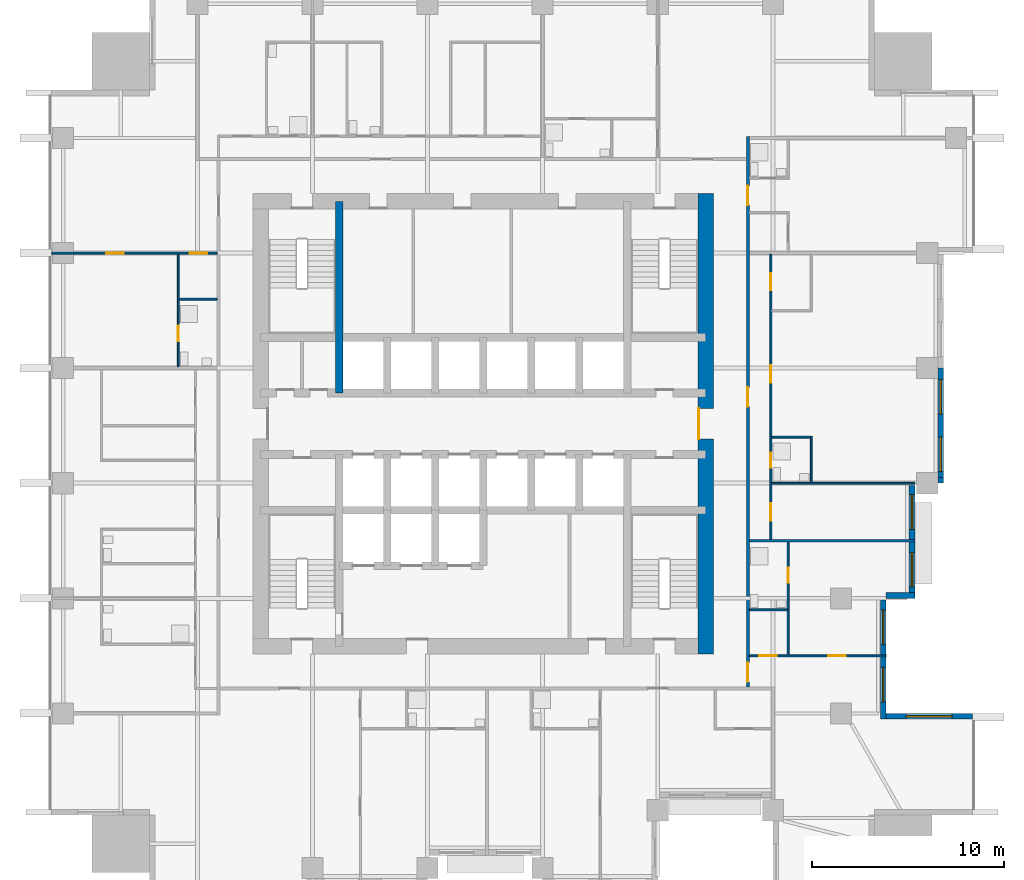
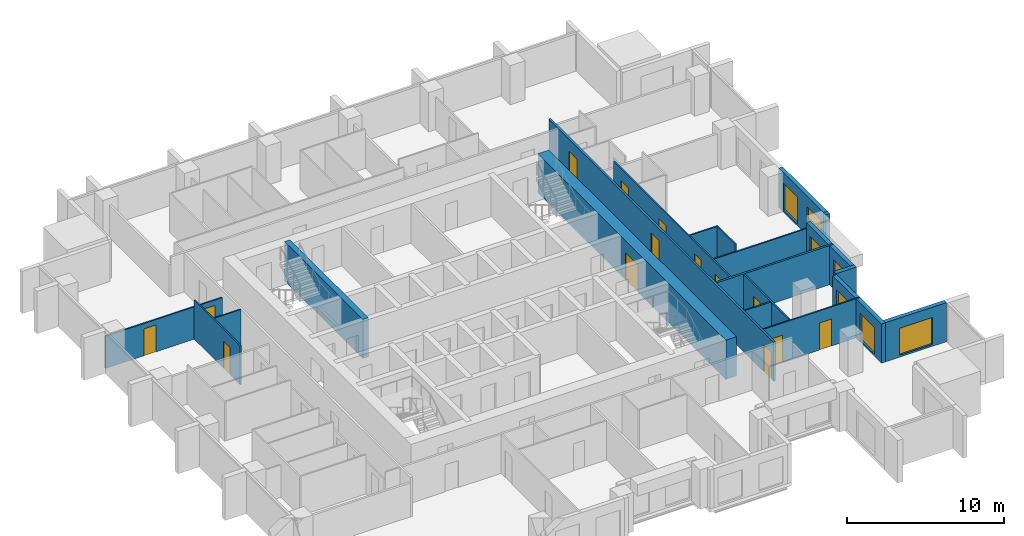
# One storey, part 6 of 10: 20 walls, 14 doors, 7 windows, 21 openings.
"""IFC4 building model written with IfcOpenShell, lengths in metres."""

from ifc_helpers import new_model, si_unit, direction, frame, frame_2d, origin, place, context, subcontext, project, spatial, rectangle, extrude, material, layer, layer_set, type_object, element, fill, save


model = new_model("IFC4")

# Units and contexts
model_context = context("Model", 3, precision=1e-05, world=origin(), true_north=direction((0.0, 1.0)))
body_context = subcontext(model_context, "Body", "Model", "MODEL_VIEW")
ifc_project = project(units=[si_unit("LENGTHUNIT", "METRE"), si_unit("AREAUNIT", "SQUARE_METRE"), si_unit("VOLUMEUNIT", "CUBIC_METRE"), si_unit("PLANEANGLEUNIT", "RADIAN"), si_unit("MASSUNIT", "GRAM", prefix="KILO")], contexts=[model_context])

# Site, building, storey
site_placement = place(None, origin())
site = spatial("IfcSite", under=ifc_project, at=site_placement, CompositionType="ELEMENT")
building_placement = place(site_placement, origin())
building = spatial("IfcBuilding", under=site, at=building_placement, Name="Amberfall Residences", CompositionType="ELEMENT")
storey_placement = place(building_placement, frame((0.0, 0.0, 118.300048828125)))
storey = spatial("IfcBuildingStorey", under=building, at=storey_placement, Name="L32", CompositionType="ELEMENT", Elevation=118.300048828125)

# Wall, opening, window
ifc_material_1 = material(Name="Pale stone cladding on insulated backing", Category="masonry")
ifc_layer_1 = layer(ifc_material_1, 0.300048828125)
ifc_layer_set_1 = layer_set([ifc_layer_1], Name="Bronze clad wall 300")
wall_type_1 = type_object("IfcWallType", Name="Bronze clad wall 300", PredefinedType="SOLIDWALL", material=ifc_layer_set_1)
wall_1_placement = place(storey_placement, frame((100.0, 30.25, 0.0), z_axis=(0.0, 0.0, 1.0), x_axis=(-1.0, 0.0, 0.0)))
wall_1 = element("IfcWall", 1, at=wall_1_placement, inside=storey, type_object=wall_type_1, Name="External wall L32 E", PredefinedType="SOLIDWALL", context=body_context, shape_type="SweptSolid", body=[
    extrude(rectangle(XDim=4.5, YDim=0.300048828125, at=frame_2d((2.25, 0.0))), origin(), (0.0, 0.0, 1.0), 3.050048828125),
])
opening_1_placement = place(wall_1_placement, frame((1.050048828125, 0.0, 0.14990234375)))
opening_1 = element("IfcOpeningElement", 2, at=opening_1_placement, cuts=wall_1, Name="Opening WN5", PredefinedType="OPENING", context=body_context, shape_type="SweptSolid", body=[
    extrude(rectangle(XDim=2.39990234375, YDim=2.10009765625, at=frame_2d((1.199951171875, 1.050048828125))), frame((0.0, 0.159912109375, 0.0), z_axis=(0.0, -1.0, 0.0), x_axis=(1.0, 0.0, 0.0)), (0.0, 0.0, 1.0), 0.320068359375),
])
ifc_material_2 = material(Name="Bronze aluminium framed glazing", Category="aluminium")
window_type_1 = type_object("IfcWindowType", Name="Glazed opening 2400 x 2100 bronze", PartitioningType="DOUBLE_PANEL_VERTICAL", PredefinedType="WINDOW", material=ifc_material_2)
window_1_placement = place(opening_1_placement, origin())
window_1 = element("IfcWindow", 3, at=window_1_placement, inside=storey, type_object=window_type_1, Name="Window L32 E", OverallHeight=2.10009765625, OverallWidth=2.39990234375, PartitioningType="DOUBLE_PANEL_VERTICAL", PredefinedType="WINDOW", context=body_context, shape_type="SweptSolid", body=[
    extrude(rectangle(XDim=2.39990234375, YDim=2.10009765625, at=frame_2d((1.199951171875, 1.050048828125))), frame((0.0, 0.030029296875, 0.0), z_axis=(0.0, -1.0, 0.0), x_axis=(1.0, 0.0, 0.0)), (0.0, 0.0, 1.0), 0.06005859375),
])
fill(opening_1, window_1)

# Walls
wall_2_placement = place(storey_placement, frame((95.5, 36.550048828125, 0.0), z_axis=(0.0, 0.0, 1.0), x_axis=(1.0, 0.0, 0.0)))
element("IfcWall", 4, at=wall_2_placement, inside=storey, type_object=wall_type_1, Name="External wall L32 E", PredefinedType="SOLIDWALL", context=body_context, shape_type="SweptSolid", body=[
    extrude(rectangle(XDim=1.5, YDim=0.300048828125, at=frame_2d((0.75, 0.0))), origin(), (0.0, 0.0, 1.0), 3.050048828125),
])
wall_3_placement = place(storey_placement, frame((98.199951171875, 42.550048828125, 0.0), z_axis=(0.0, 0.0, 1.0), x_axis=(1.0, 0.0, 0.0)))
element("IfcWall", 5, at=wall_3_placement, inside=storey, type_object=wall_type_1, Name="External wall L32 E", PredefinedType="SOLIDWALL", context=body_context, shape_type="SweptSolid", body=[
    extrude(rectangle(XDim=0.300048828125, YDim=0.300048828125, at=frame_2d((0.14990234375, 0.0))), origin(), (0.0, 0.0, 1.0), 3.050048828125),
])

# Wall, openings, windows
wall_4_placement = place(storey_placement, frame((95.35009765625, 30.10009765625, 0.0), z_axis=(0.0, 0.0, 1.0), x_axis=(0.0, 1.0, 0.0)))
wall_4 = element("IfcWall", 6, at=wall_4_placement, inside=storey, type_object=wall_type_1, Name="Stone wall L32 E", PredefinedType="SOLIDWALL", context=body_context, shape_type="SweptSolid", body=[
    extrude(rectangle(XDim=6.2099609375, YDim=0.300048828125, at=frame_2d((3.10498046875, 0.0))), origin(), (0.0, 0.0, 1.0), 3.050048828125),
])
opening_2_placement = place(wall_4_placement, frame((0.89990234375, 0.0, 0.14990234375)))
opening_2 = element("IfcOpeningElement", 7, at=opening_2_placement, cuts=wall_4, Name="Opening WN6", PredefinedType="OPENING", context=body_context, shape_type="SweptSolid", body=[
    extrude(rectangle(XDim=1.800048828125, YDim=2.10009765625, at=frame_2d((0.89990234375, 1.050048828125))), frame((0.0, 0.159912109375, 0.0), z_axis=(0.0, -1.0, 0.0), x_axis=(1.0, 0.0, 0.0)), (0.0, 0.0, 1.0), 0.320068359375),
])
opening_3_placement = place(wall_4_placement, frame((3.89990234375, 0.0, 0.14990234375)))
opening_3 = element("IfcOpeningElement", 8, at=opening_3_placement, cuts=wall_4, Name="Opening WN6", PredefinedType="OPENING", context=body_context, shape_type="SweptSolid", body=[
    extrude(rectangle(XDim=1.800048828125, YDim=2.10009765625, at=frame_2d((0.89990234375, 1.050048828125))), frame((0.0, 0.159912109375, 0.0), z_axis=(0.0, -1.0, 0.0), x_axis=(1.0, 0.0, 0.0)), (0.0, 0.0, 1.0), 0.320068359375),
])
window_type_2 = type_object("IfcWindowType", Name="Glazed opening 1800 x 2100 bronze", PartitioningType="DOUBLE_PANEL_VERTICAL", PredefinedType="WINDOW", material=ifc_material_2)
window_2_placement = place(opening_2_placement, origin())
window_2 = element("IfcWindow", 9, at=window_2_placement, inside=storey, type_object=window_type_2, Name="Window L32 E", OverallHeight=2.10009765625, OverallWidth=1.800048828125, PartitioningType="DOUBLE_PANEL_VERTICAL", PredefinedType="WINDOW", context=body_context, shape_type="SweptSolid", body=[
    extrude(rectangle(XDim=1.800048828125, YDim=2.10009765625, at=frame_2d((0.89990234375, 1.050048828125))), frame((0.0, 0.030029296875, 0.0), z_axis=(0.0, -1.0, 0.0), x_axis=(1.0, 0.0, 0.0)), (0.0, 0.0, 1.0), 0.06005859375),
])
fill(opening_2, window_2)
window_3_placement = place(opening_3_placement, origin())
window_3 = element("IfcWindow", 10, at=window_3_placement, inside=storey, type_object=window_type_2, Name="Window L32 E", OverallHeight=2.10009765625, OverallWidth=1.800048828125, PartitioningType="DOUBLE_PANEL_VERTICAL", PredefinedType="WINDOW", context=body_context, shape_type="SweptSolid", body=[
    extrude(rectangle(XDim=1.800048828125, YDim=2.10009765625, at=frame_2d((0.89990234375, 1.050048828125))), frame((0.0, 0.030029296875, 0.0), z_axis=(0.0, -1.0, 0.0), x_axis=(1.0, 0.0, 0.0)), (0.0, 0.0, 1.0), 0.06005859375),
])
fill(opening_3, window_3)

wall_5_placement = place(storey_placement, frame((96.85009765625, 36.699951171875, 0.0), z_axis=(0.0, 0.0, 1.0), x_axis=(0.0, 1.0, 0.0)))
wall_5 = element("IfcWall", 11, at=wall_5_placement, inside=storey, type_object=wall_type_1, Name="Stone wall L32 E", PredefinedType="SOLIDWALL", context=body_context, shape_type="SweptSolid", body=[
    extrude(rectangle(XDim=5.590087890625, YDim=0.300048828125, at=frame_2d((2.794921875, 0.0))), origin(), (0.0, 0.0, 1.0), 3.050048828125),
])
opening_4_placement = place(wall_5_placement, frame((0.300048828125, 0.0, 0.14990234375)))
opening_4 = element("IfcOpeningElement", 12, at=opening_4_placement, cuts=wall_5, Name="Opening WN6", PredefinedType="OPENING", context=body_context, shape_type="SweptSolid", body=[
    extrude(rectangle(XDim=1.800048828125, YDim=2.10009765625, at=frame_2d((0.89990234375, 1.050048828125))), frame((0.0, 0.159912109375, 0.0), z_axis=(0.0, -1.0, 0.0), x_axis=(1.0, 0.0, 0.0)), (0.0, 0.0, 1.0), 0.320068359375),
])
opening_5_placement = place(wall_5_placement, frame((3.300048828125, 0.0, 0.14990234375)))
opening_5 = element("IfcOpeningElement", 13, at=opening_5_placement, cuts=wall_5, Name="Opening WN6", PredefinedType="OPENING", context=body_context, shape_type="SweptSolid", body=[
    extrude(rectangle(XDim=1.800048828125, YDim=2.10009765625, at=frame_2d((0.89990234375, 1.050048828125))), frame((0.0, 0.159912109375, 0.0), z_axis=(0.0, -1.0, 0.0), x_axis=(1.0, 0.0, 0.0)), (0.0, 0.0, 1.0), 0.320068359375),
])
window_4_placement = place(opening_4_placement, origin())
window_4 = element("IfcWindow", 14, at=window_4_placement, inside=storey, type_object=window_type_2, Name="Window L32 E", OverallHeight=2.10009765625, OverallWidth=1.800048828125, PartitioningType="DOUBLE_PANEL_VERTICAL", PredefinedType="WINDOW", context=body_context, shape_type="SweptSolid", body=[
    extrude(rectangle(XDim=1.800048828125, YDim=2.10009765625, at=frame_2d((0.89990234375, 1.050048828125))), frame((0.0, 0.030029296875, 0.0), z_axis=(0.0, -1.0, 0.0), x_axis=(1.0, 0.0, 0.0)), (0.0, 0.0, 1.0), 0.06005859375),
])
fill(opening_4, window_4)
window_5_placement = place(opening_5_placement, origin())
window_5 = element("IfcWindow", 15, at=window_5_placement, inside=storey, type_object=window_type_2, Name="Window L32 E", OverallHeight=2.10009765625, OverallWidth=1.800048828125, PartitioningType="DOUBLE_PANEL_VERTICAL", PredefinedType="WINDOW", context=body_context, shape_type="SweptSolid", body=[
    extrude(rectangle(XDim=1.800048828125, YDim=2.10009765625, at=frame_2d((0.89990234375, 1.050048828125))), frame((0.0, 0.030029296875, 0.0), z_axis=(0.0, -1.0, 0.0), x_axis=(1.0, 0.0, 0.0)), (0.0, 0.0, 1.0), 0.06005859375),
])
fill(opening_5, window_5)

wall_6_placement = place(storey_placement, frame((98.35009765625, 42.699951171875, 0.0), z_axis=(0.0, 0.0, 1.0), x_axis=(0.0, 1.0, 0.0)))
wall_6 = element("IfcWall", 16, at=wall_6_placement, inside=storey, type_object=wall_type_1, Name="Stone wall L32 E", PredefinedType="SOLIDWALL", context=body_context, shape_type="SweptSolid", body=[
    extrude(rectangle(XDim=5.699951171875, YDim=0.300048828125, at=frame_2d((2.85009765625, 0.0))), origin(), (0.0, 0.0, 1.0), 3.050048828125),
])
opening_6_placement = place(wall_6_placement, frame((0.300048828125, 0.0, 0.14990234375)))
opening_6 = element("IfcOpeningElement", 17, at=opening_6_placement, cuts=wall_6, Name="Opening WN6", PredefinedType="OPENING", context=body_context, shape_type="SweptSolid", body=[
    extrude(rectangle(XDim=1.800048828125, YDim=2.10009765625, at=frame_2d((0.89990234375, 1.050048828125))), frame((0.0, 0.159912109375, 0.0), z_axis=(0.0, -1.0, 0.0), x_axis=(1.0, 0.0, 0.0)), (0.0, 0.0, 1.0), 0.320068359375),
])
opening_7_placement = place(wall_6_placement, frame((3.300048828125, 0.0, 0.14990234375)))
opening_7 = element("IfcOpeningElement", 18, at=opening_7_placement, cuts=wall_6, Name="Opening WN6", PredefinedType="OPENING", context=body_context, shape_type="SweptSolid", body=[
    extrude(rectangle(XDim=1.800048828125, YDim=2.10009765625, at=frame_2d((0.89990234375, 1.050048828125))), frame((0.0, 0.159912109375, 0.0), z_axis=(0.0, -1.0, 0.0), x_axis=(1.0, 0.0, 0.0)), (0.0, 0.0, 1.0), 0.320068359375),
])
window_6_placement = place(opening_6_placement, origin())
window_6 = element("IfcWindow", 19, at=window_6_placement, inside=storey, type_object=window_type_2, Name="Window L32 E", OverallHeight=2.10009765625, OverallWidth=1.800048828125, PartitioningType="DOUBLE_PANEL_VERTICAL", PredefinedType="WINDOW", context=body_context, shape_type="SweptSolid", body=[
    extrude(rectangle(XDim=1.800048828125, YDim=2.10009765625, at=frame_2d((0.89990234375, 1.050048828125))), frame((0.0, 0.030029296875, 0.0), z_axis=(0.0, -1.0, 0.0), x_axis=(1.0, 0.0, 0.0)), (0.0, 0.0, 1.0), 0.06005859375),
])
fill(opening_6, window_6)
window_7_placement = place(opening_7_placement, origin())
window_7 = element("IfcWindow", 20, at=window_7_placement, inside=storey, type_object=window_type_2, Name="Window L32 E", OverallHeight=2.10009765625, OverallWidth=1.800048828125, PartitioningType="DOUBLE_PANEL_VERTICAL", PredefinedType="WINDOW", context=body_context, shape_type="SweptSolid", body=[
    extrude(rectangle(XDim=1.800048828125, YDim=2.10009765625, at=frame_2d((0.89990234375, 1.050048828125))), frame((0.0, 0.030029296875, 0.0), z_axis=(0.0, -1.0, 0.0), x_axis=(1.0, 0.0, 0.0)), (0.0, 0.0, 1.0), 0.06005859375),
])
fill(opening_7, window_7)

# Wall
ifc_material_3 = material(Name="Concrete C70", Category="concrete")
ifc_layer_2 = layer(ifc_material_3, 0.39990234375)
ifc_layer_set_2 = layer_set([ifc_layer_2], Name="Core wall 400 C70")
wall_type_2 = type_object("IfcWallType", Name="Core wall 400 C70", PredefinedType="SHEAR", material=ifc_layer_set_2)
wall_7_placement = place(storey_placement, frame((67.0, 47.10009765625, 0.0), z_axis=(0.0, 0.0, 1.0), x_axis=(0.0, 1.0, 0.0)))
element("IfcWall", 21, at=wall_7_placement, inside=storey, type_object=wall_type_2, Name="Core wall RW4 L32 V45N", PredefinedType="SHEAR", context=body_context, shape_type="SweptSolid", body=[
    extrude(rectangle(XDim=10.0, YDim=0.39990234375, at=frame_2d((5.0, 0.0))), origin(), (0.0, 0.0, 1.0), 3.050048828125),
])

# Wall, opening, door
ifc_layer_3 = layer(ifc_material_3, 0.800048828125)
ifc_layer_set_3 = layer_set([ifc_layer_3], Name="Core wall 800 C70")
wall_type_3 = type_object("IfcWallType", Name="Core wall 800 C70", PredefinedType="SHEAR", material=ifc_layer_set_3)
wall_8_placement = place(storey_placement, frame((86.10009765625, 33.5, 0.0), z_axis=(0.0, 0.0, 1.0), x_axis=(0.0, 1.0, 0.0)))
wall_8 = element("IfcWall", 22, at=wall_8_placement, inside=storey, type_object=wall_type_3, Name="Core wall RW3 L32 OE", PredefinedType="SHEAR", context=body_context, shape_type="SweptSolid", body=[
    extrude(rectangle(XDim=24.0, YDim=0.800048828125, at=frame_2d((12.0, 0.0))), origin(), (0.0, 0.0, 1.0), 3.050048828125),
])
opening_8_placement = place(wall_8_placement, frame((11.199951171875, 0.0, 0.0)))
opening_8 = element("IfcOpeningElement", 23, at=opening_8_placement, cuts=wall_8, Name="Opening LB1", PredefinedType="OPENING", context=body_context, shape_type="SweptSolid", body=[
    extrude(rectangle(XDim=1.60009765625, YDim=2.10009765625, at=frame_2d((0.800048828125, 1.050048828125))), frame((0.0, 0.409912109375, 0.0), z_axis=(0.0, -1.0, 0.0), x_axis=(1.0, 0.0, 0.0)), (0.0, 0.0, 1.0), 0.820068359375),
])
ifc_material_4 = material(Name="Steel fire door set", Category="steel")
door_type_1 = type_object("IfcDoorType", Name="Lift lobby double door 1600 x 2100", OperationType="DOUBLE_DOOR_SINGLE_SWING", PredefinedType="DOOR", material=ifc_material_4)
door_1_placement = place(opening_8_placement, origin())
door_1 = element("IfcDoor", 24, at=door_1_placement, inside=storey, type_object=door_type_1, Name="LB1 L32", OperationType="DOUBLE_DOOR_SINGLE_SWING", OverallHeight=2.10009765625, OverallWidth=1.60009765625, PredefinedType="DOOR", context=body_context, shape_type="SweptSolid", body=[
    extrude(rectangle(XDim=1.60009765625, YDim=2.10009765625, at=frame_2d((0.800048828125, 1.050048828125))), frame((0.0, 0.3876953125, 0.0), z_axis=(0.0, -1.0, 0.0), x_axis=(1.0, 0.0, 0.0)), (0.0, 0.0, 1.0), 0.050048828125),
])
fill(opening_8, door_1)

ifc_material_5 = material(Name="Gypsum board on metal stud")
ifc_layer_4 = layer(ifc_material_5, 0.10009765625)
ifc_layer_set_4 = layer_set([ifc_layer_4], Name="Flat partition 100")
wall_type_4 = type_object("IfcWallType", Name="Flat partition 100", PredefinedType="PARTITIONING", material=ifc_layer_set_4)
wall_9_placement = place(storey_placement, frame((58.60009765625, 54.35009765625, 0.0), z_axis=(0.0, 0.0, 1.0), x_axis=(0.0, -1.0, 0.0)))
wall_9 = element("IfcWall", 25, at=wall_9_placement, inside=storey, type_object=wall_type_4, Name="Partition 003", PredefinedType="PARTITIONING", context=body_context, shape_type="SweptSolid", body=[
    extrude(rectangle(XDim=5.875, YDim=0.10009765625, at=frame_2d((2.9375, 0.0))), origin(), (0.0, 0.0, 1.0), 3.050048828125),
])
opening_9_placement = place(wall_9_placement, frame((3.75, 0.0, 0.0)))
opening_9 = element("IfcOpeningElement", 26, at=opening_9_placement, cuts=wall_9, Name="Opening D42", PredefinedType="OPENING", context=body_context, shape_type="SweptSolid", body=[
    extrude(rectangle(XDim=0.800048828125, YDim=2.10009765625, at=frame_2d((0.39990234375, 1.050048828125))), frame((0.0, 0.06005859375, 0.0), z_axis=(0.0, -1.0, 0.0), x_axis=(1.0, 0.0, 0.0)), (0.0, 0.0, 1.0), 0.1201171875),
])
ifc_material_6 = material(Name="Timber", Category="wood")
door_type_2 = type_object("IfcDoorType", Name="Bathroom door 800 x 2100", OperationType="SINGLE_SWING_LEFT", PredefinedType="DOOR", material=ifc_material_6)
door_2_placement = place(opening_9_placement, origin())
door_2 = element("IfcDoor", 27, at=door_2_placement, inside=storey, type_object=door_type_2, Name="Door 3209 bath1", OperationType="SINGLE_SWING_LEFT", OverallHeight=2.10009765625, OverallWidth=0.800048828125, PredefinedType="DOOR", context=body_context, shape_type="SweptSolid", body=[
    extrude(rectangle(XDim=0.800048828125, YDim=2.10009765625, at=frame_2d((0.39990234375, 1.050048828125))), frame((0.0, 0.02490234375, 0.0), z_axis=(0.0, -1.0, 0.0), x_axis=(1.0, 0.0, 0.0)), (0.0, 0.0, 1.0), 0.050048828125),
])
fill(opening_9, door_2)

# Wall, openings, doors
wall_10_placement = place(storey_placement, frame((89.5, 54.324951171875, 0.0), z_axis=(0.0, 0.0, 1.0), x_axis=(0.0, -1.0, 0.0)))
wall_10 = element("IfcWall", 28, at=wall_10_placement, inside=storey, type_object=wall_type_4, Name="Partition 019", PredefinedType="PARTITIONING", context=body_context, shape_type="SweptSolid", body=[
    extrude(rectangle(XDim=14.849853515625, YDim=0.10009765625, at=frame_2d((7.4248046875, 0.0))), origin(), (0.0, 0.0, 1.0), 3.050048828125),
])
opening_10_placement = place(wall_10_placement, frame((5.77490234375, 0.0, 0.0)))
opening_10 = element("IfcOpeningElement", 29, at=opening_10_placement, cuts=wall_10, Name="Opening D41", PredefinedType="OPENING", context=body_context, shape_type="SweptSolid", body=[
    extrude(rectangle(XDim=0.89990234375, YDim=2.10009765625, at=frame_2d((0.449951171875, 1.050048828125))), frame((0.0, 0.06005859375, 0.0), z_axis=(0.0, -1.0, 0.0), x_axis=(1.0, 0.0, 0.0)), (0.0, 0.0, 1.0), 0.1201171875),
])
opening_11_placement = place(wall_10_placement, frame((0.97509765625, 0.0, 0.0)))
opening_11 = element("IfcOpeningElement", 30, at=opening_11_placement, cuts=wall_10, Name="Opening D41", PredefinedType="OPENING", context=body_context, shape_type="SweptSolid", body=[
    extrude(rectangle(XDim=0.89990234375, YDim=2.10009765625, at=frame_2d((0.449951171875, 1.050048828125))), frame((0.0, 0.06005859375, 0.0), z_axis=(0.0, -1.0, 0.0), x_axis=(1.0, 0.0, 0.0)), (0.0, 0.0, 1.0), 0.1201171875),
])
opening_12_placement = place(wall_10_placement, frame((12.97509765625, 0.0, 0.0)))
opening_12 = element("IfcOpeningElement", 31, at=opening_12_placement, cuts=wall_10, Name="Opening D41", PredefinedType="OPENING", context=body_context, shape_type="SweptSolid", body=[
    extrude(rectangle(XDim=0.89990234375, YDim=2.10009765625, at=frame_2d((0.449951171875, 1.050048828125))), frame((0.0, 0.06005859375, 0.0), z_axis=(0.0, -1.0, 0.0), x_axis=(1.0, 0.0, 0.0)), (0.0, 0.0, 1.0), 0.1201171875),
])
opening_13_placement = place(wall_10_placement, frame((10.324951171875, 0.0, 0.0)))
opening_13 = element("IfcOpeningElement", 32, at=opening_13_placement, cuts=wall_10, Name="Opening D42", PredefinedType="OPENING", context=body_context, shape_type="SweptSolid", body=[
    extrude(rectangle(XDim=0.800048828125, YDim=2.10009765625, at=frame_2d((0.39990234375, 1.050048828125))), frame((0.0, 0.06005859375, 0.0), z_axis=(0.0, -1.0, 0.0), x_axis=(1.0, 0.0, 0.0)), (0.0, 0.0, 1.0), 0.1201171875),
])
door_3_placement = place(opening_13_placement, origin())
door_3 = element("IfcDoor", 33, at=door_3_placement, inside=storey, type_object=door_type_2, Name="Door 3204 bath1", OperationType="SINGLE_SWING_LEFT", OverallHeight=2.10009765625, OverallWidth=0.800048828125, PredefinedType="DOOR", context=body_context, shape_type="SweptSolid", body=[
    extrude(rectangle(XDim=0.800048828125, YDim=2.10009765625, at=frame_2d((0.39990234375, 1.050048828125))), frame((0.0, 0.02490234375, 0.0), z_axis=(0.0, -1.0, 0.0), x_axis=(1.0, 0.0, 0.0)), (0.0, 0.0, 1.0), 0.050048828125),
])
fill(opening_13, door_3)
door_type_3 = type_object("IfcDoorType", Name="Internal door 900 x 2100", OperationType="SINGLE_SWING_LEFT", PredefinedType="DOOR", material=ifc_material_6)
door_4_placement = place(opening_10_placement, origin())
door_4 = element("IfcDoor", 34, at=door_4_placement, inside=storey, type_object=door_type_3, Name="Door 3204 living", OperationType="SINGLE_SWING_LEFT", OverallHeight=2.10009765625, OverallWidth=0.89990234375, PredefinedType="DOOR", context=body_context, shape_type="SweptSolid", body=[
    extrude(rectangle(XDim=0.89990234375, YDim=2.10009765625, at=frame_2d((0.449951171875, 1.050048828125))), frame((0.0, 0.02490234375, 0.0), z_axis=(0.0, -1.0, 0.0), x_axis=(1.0, 0.0, 0.0)), (0.0, 0.0, 1.0), 0.050048828125),
])
fill(opening_10, door_4)
door_5_placement = place(opening_11_placement, origin())
door_5 = element("IfcDoor", 35, at=door_5_placement, inside=storey, type_object=door_type_3, Name="Door 3204 kitchen", OperationType="SINGLE_SWING_LEFT", OverallHeight=2.10009765625, OverallWidth=0.89990234375, PredefinedType="DOOR", context=body_context, shape_type="SweptSolid", body=[
    extrude(rectangle(XDim=0.89990234375, YDim=2.10009765625, at=frame_2d((0.449951171875, 1.050048828125))), frame((0.0, 0.02490234375, 0.0), z_axis=(0.0, -1.0, 0.0), x_axis=(1.0, 0.0, 0.0)), (0.0, 0.0, 1.0), 0.050048828125),
])
fill(opening_11, door_5)
door_6_placement = place(opening_12_placement, origin())
door_6 = element("IfcDoor", 36, at=door_6_placement, inside=storey, type_object=door_type_3, Name="Door 3204 bedroom1", OperationType="SINGLE_SWING_LEFT", OverallHeight=2.10009765625, OverallWidth=0.89990234375, PredefinedType="DOOR", context=body_context, shape_type="SweptSolid", body=[
    extrude(rectangle(XDim=0.89990234375, YDim=2.10009765625, at=frame_2d((0.449951171875, 1.050048828125))), frame((0.0, 0.02490234375, 0.0), z_axis=(0.0, -1.0, 0.0), x_axis=(1.0, 0.0, 0.0)), (0.0, 0.0, 1.0), 0.050048828125),
])
fill(opening_12, door_6)

# Wall, opening, door
wall_11_placement = place(storey_placement, frame((90.39990234375, 33.449951171875, 0.0), z_axis=(0.0, 0.0, 1.0), x_axis=(0.0, 1.0, 0.0)))
wall_11 = element("IfcWall", 37, at=wall_11_placement, inside=storey, type_object=wall_type_4, Name="Partition 020", PredefinedType="PARTITIONING", context=body_context, shape_type="SweptSolid", body=[
    extrude(rectangle(XDim=5.875, YDim=0.10009765625, at=frame_2d((2.9375, 0.0))), origin(), (0.0, 0.0, 1.0), 3.050048828125),
])
opening_14_placement = place(wall_11_placement, frame((3.75, 0.0, 0.0)))
opening_14 = element("IfcOpeningElement", 38, at=opening_14_placement, cuts=wall_11, Name="Opening D42", PredefinedType="OPENING", context=body_context, shape_type="SweptSolid", body=[
    extrude(rectangle(XDim=0.800048828125, YDim=2.10009765625, at=frame_2d((0.39990234375, 1.050048828125))), frame((0.0, 0.06005859375, 0.0), z_axis=(0.0, -1.0, 0.0), x_axis=(1.0, 0.0, 0.0)), (0.0, 0.0, 1.0), 0.1201171875),
])
door_7_placement = place(opening_14_placement, origin())
door_7 = element("IfcDoor", 39, at=door_7_placement, inside=storey, type_object=door_type_2, Name="Door 3203 bath1", OperationType="SINGLE_SWING_LEFT", OverallHeight=2.10009765625, OverallWidth=0.800048828125, PredefinedType="DOOR", context=body_context, shape_type="SweptSolid", body=[
    extrude(rectangle(XDim=0.800048828125, YDim=2.10009765625, at=frame_2d((0.39990234375, 1.050048828125))), frame((0.0, 0.02490234375, 0.0), z_axis=(0.0, -1.0, 0.0), x_axis=(1.0, 0.0, 0.0)), (0.0, 0.0, 1.0), 0.050048828125),
])
fill(opening_14, door_7)

# Wall
wall_12_placement = place(storey_placement, frame((91.60009765625, 42.449951171875, 0.0), z_axis=(0.0, 0.0, 1.0), x_axis=(0.0, 1.0, 0.0)))
element("IfcWall", 40, at=wall_12_placement, inside=storey, type_object=wall_type_4, Name="Partition 023", PredefinedType="PARTITIONING", context=body_context, shape_type="SweptSolid", body=[
    extrude(rectangle(XDim=2.400146484375, YDim=0.10009765625, at=frame_2d((1.2001953125, 0.0))), origin(), (0.0, 0.0, 1.0), 3.050048828125),
])

# Wall, openings, doors
wall_13_placement = place(storey_placement, frame((60.625, 54.39990234375, 0.0), z_axis=(0.0, 0.0, 1.0), x_axis=(-1.0, 0.0, 0.0)))
wall_13 = element("IfcWall", 41, at=wall_13_placement, inside=storey, type_object=wall_type_4, Name="Partition 031", PredefinedType="PARTITIONING", context=body_context, shape_type="SweptSolid", body=[
    extrude(rectangle(XDim=8.625, YDim=0.10009765625, at=frame_2d((4.3125, 0.0))), origin(), (0.0, 0.0, 1.0), 2.515869140625),
])
opening_15_placement = place(wall_13_placement, frame((0.52490234375, 0.0, 0.0)))
opening_15 = element("IfcOpeningElement", 42, at=opening_15_placement, cuts=wall_13, Name="Opening D41", PredefinedType="OPENING", context=body_context, shape_type="SweptSolid", body=[
    extrude(rectangle(XDim=0.89990234375, YDim=2.10009765625, at=frame_2d((0.449951171875, 1.050048828125))), frame((0.0, 0.06005859375, 0.0), z_axis=(0.0, -1.0, 0.0), x_axis=(1.0, 0.0, 0.0)), (0.0, 0.0, 1.0), 0.1201171875),
])
opening_16_placement = place(wall_13_placement, frame((4.875, 0.0, 0.0)))
opening_16 = element("IfcOpeningElement", 43, at=opening_16_placement, cuts=wall_13, Name="Opening D41", PredefinedType="OPENING", context=body_context, shape_type="SweptSolid", body=[
    extrude(rectangle(XDim=0.89990234375, YDim=2.10009765625, at=frame_2d((0.449951171875, 1.050048828125))), frame((0.0, 0.06005859375, 0.0), z_axis=(0.0, -1.0, 0.0), x_axis=(1.0, 0.0, 0.0)), (0.0, 0.0, 1.0), 0.1201171875),
])
door_8_placement = place(opening_15_placement, origin())
door_8 = element("IfcDoor", 44, at=door_8_placement, inside=storey, type_object=door_type_3, Name="Door 3209 kitchen", OperationType="SINGLE_SWING_LEFT", OverallHeight=2.10009765625, OverallWidth=0.89990234375, PredefinedType="DOOR", context=body_context, shape_type="SweptSolid", body=[
    extrude(rectangle(XDim=0.89990234375, YDim=2.10009765625, at=frame_2d((0.449951171875, 1.050048828125))), frame((0.0, 0.02490234375, 0.0), z_axis=(0.0, -1.0, 0.0), x_axis=(1.0, 0.0, 0.0)), (0.0, 0.0, 1.0), 0.050048828125),
])
fill(opening_15, door_8)
door_9_placement = place(opening_16_placement, origin())
door_9 = element("IfcDoor", 45, at=door_9_placement, inside=storey, type_object=door_type_3, Name="Door 3209 bedroom1", OperationType="SINGLE_SWING_LEFT", OverallHeight=2.10009765625, OverallWidth=0.89990234375, PredefinedType="DOOR", context=body_context, shape_type="SweptSolid", body=[
    extrude(rectangle(XDim=0.89990234375, YDim=2.10009765625, at=frame_2d((0.449951171875, 1.050048828125))), frame((0.0, 0.02490234375, 0.0), z_axis=(0.0, -1.0, 0.0), x_axis=(1.0, 0.0, 0.0)), (0.0, 0.0, 1.0), 0.050048828125),
])
fill(opening_16, door_9)

# Walls
wall_14_placement = place(storey_placement, frame((58.64990234375, 52.0, 0.0), z_axis=(0.0, 0.0, 1.0), x_axis=(1.0, 0.0, 0.0)))
element("IfcWall", 46, at=wall_14_placement, inside=storey, type_object=wall_type_4, Name="Partition 032", PredefinedType="PARTITIONING", context=body_context, shape_type="SweptSolid", body=[
    extrude(rectangle(XDim=1.97509765625, YDim=0.10009765625, at=frame_2d((0.987548828125, 0.0))), origin(), (0.0, 0.0, 1.0), 3.050048828125),
])
wall_15_placement = place(storey_placement, frame((89.550048828125, 44.800048828125, 0.0), z_axis=(0.0, 0.0, 1.0), x_axis=(1.0, 0.0, 0.0)))
element("IfcWall", 47, at=wall_15_placement, inside=storey, type_object=wall_type_4, Name="Partition 035", PredefinedType="PARTITIONING", context=body_context, shape_type="SweptSolid", body=[
    extrude(rectangle(XDim=2.0, YDim=0.10009765625, at=frame_2d((1.0, 0.0))), origin(), (0.0, 0.0, 1.0), 3.050048828125),
])
wall_16_placement = place(storey_placement, frame((89.550048828125, 42.39990234375, 0.0), z_axis=(0.0, 0.0, 1.0), x_axis=(1.0, 0.0, 0.0)))
element("IfcWall", 48, at=wall_16_placement, inside=storey, type_object=wall_type_4, Name="Partition 037", PredefinedType="PARTITIONING", context=body_context, shape_type="SweptSolid", body=[
    extrude(rectangle(XDim=7.449951171875, YDim=0.10009765625, at=frame_2d((3.72509765625, 0.0))), origin(), (0.0, 0.0, 1.0), 2.515869140625),
])
wall_17_placement = place(storey_placement, frame((88.375, 35.800048828125, 0.0), z_axis=(0.0, 0.0, 1.0), x_axis=(1.0, 0.0, 0.0)))
element("IfcWall", 49, at=wall_17_placement, inside=storey, type_object=wall_type_4, Name="Partition 041", PredefinedType="PARTITIONING", context=body_context, shape_type="SweptSolid", body=[
    extrude(rectangle(XDim=1.97509765625, YDim=0.10009765625, at=frame_2d((0.987548828125, 0.0))), origin(), (0.0, 0.0, 1.0), 3.050048828125),
])

# Wall, openings, doors
wall_18_placement = place(storey_placement, frame((88.375, 33.39990234375, 0.0), z_axis=(0.0, 0.0, 1.0), x_axis=(1.0, 0.0, 0.0)))
wall_18 = element("IfcWall", 50, at=wall_18_placement, inside=storey, type_object=wall_type_4, Name="Partition 043", PredefinedType="PARTITIONING", context=body_context, shape_type="SweptSolid", body=[
    extrude(rectangle(XDim=7.125, YDim=0.10009765625, at=frame_2d((3.5625, 0.0))), origin(), (0.0, 0.0, 1.0), 3.050048828125),
])
opening_17_placement = place(wall_18_placement, frame((0.52490234375, 0.0, 0.0)))
opening_17 = element("IfcOpeningElement", 51, at=opening_17_placement, cuts=wall_18, Name="Opening D41", PredefinedType="OPENING", context=body_context, shape_type="SweptSolid", body=[
    extrude(rectangle(XDim=0.89990234375, YDim=2.10009765625, at=frame_2d((0.449951171875, 1.050048828125))), frame((0.0, 0.06005859375, 0.0), z_axis=(0.0, -1.0, 0.0), x_axis=(1.0, 0.0, 0.0)), (0.0, 0.0, 1.0), 0.1201171875),
])
opening_18_placement = place(wall_18_placement, frame((4.125, 0.0, 0.0)))
opening_18 = element("IfcOpeningElement", 52, at=opening_18_placement, cuts=wall_18, Name="Opening D41", PredefinedType="OPENING", context=body_context, shape_type="SweptSolid", body=[
    extrude(rectangle(XDim=0.89990234375, YDim=2.10009765625, at=frame_2d((0.449951171875, 1.050048828125))), frame((0.0, 0.06005859375, 0.0), z_axis=(0.0, -1.0, 0.0), x_axis=(1.0, 0.0, 0.0)), (0.0, 0.0, 1.0), 0.1201171875),
])
door_10_placement = place(opening_17_placement, origin())
door_10 = element("IfcDoor", 53, at=door_10_placement, inside=storey, type_object=door_type_3, Name="Door 3203 kitchen", OperationType="SINGLE_SWING_LEFT", OverallHeight=2.10009765625, OverallWidth=0.89990234375, PredefinedType="DOOR", context=body_context, shape_type="SweptSolid", body=[
    extrude(rectangle(XDim=0.89990234375, YDim=2.10009765625, at=frame_2d((0.449951171875, 1.050048828125))), frame((0.0, 0.02490234375, 0.0), z_axis=(0.0, -1.0, 0.0), x_axis=(1.0, 0.0, 0.0)), (0.0, 0.0, 1.0), 0.050048828125),
])
fill(opening_17, door_10)
door_11_placement = place(opening_18_placement, origin())
door_11 = element("IfcDoor", 54, at=door_11_placement, inside=storey, type_object=door_type_3, Name="Door 3203 bedroom1", OperationType="SINGLE_SWING_LEFT", OverallHeight=2.10009765625, OverallWidth=0.89990234375, PredefinedType="DOOR", context=body_context, shape_type="SweptSolid", body=[
    extrude(rectangle(XDim=0.89990234375, YDim=2.10009765625, at=frame_2d((0.449951171875, 1.050048828125))), frame((0.0, 0.02490234375, 0.0), z_axis=(0.0, -1.0, 0.0), x_axis=(1.0, 0.0, 0.0)), (0.0, 0.0, 1.0), 0.050048828125),
])
fill(opening_18, door_11)

ifc_material_7 = material(Name="Blockwork, plastered", Category="masonry")
ifc_layer_5 = layer(ifc_material_7, 0.14990234375)
ifc_layer_set_5 = layer_set([ifc_layer_5], Name="Flat separating wall 150")
wall_type_5 = type_object("IfcWallType", Name="Flat separating wall 150", PredefinedType="PARTITIONING", material=ifc_layer_set_5)
wall_19_placement = place(storey_placement, frame((88.300048828125, 60.47509765625, 0.0), z_axis=(0.0, 0.0, 1.0), x_axis=(0.0, -1.0, 0.0)))
wall_19 = element("IfcWall", 55, at=wall_19_placement, inside=storey, type_object=wall_type_5, Name="Separating wall 052", PredefinedType="PARTITIONING", context=body_context, shape_type="SweptSolid", body=[
    extrude(rectangle(XDim=28.7001953125, YDim=0.14990234375, at=frame_2d((14.35009765625, 0.0))), origin(), (0.0, 0.0, 1.0), 3.050048828125),
])
opening_19_placement = place(wall_19_placement, frame((27.425048828125, 0.0, 0.0)))
opening_19 = element("IfcOpeningElement", 56, at=opening_19_placement, cuts=wall_19, Name="Opening D40", PredefinedType="OPENING", context=body_context, shape_type="SweptSolid", body=[
    extrude(rectangle(XDim=1.0, YDim=2.10009765625, at=frame_2d((0.5, 1.050048828125))), frame((0.0, 0.0849609375, 0.0), z_axis=(0.0, -1.0, 0.0), x_axis=(1.0, 0.0, 0.0)), (0.0, 0.0, 1.0), 0.169921875),
])
opening_20_placement = place(wall_19_placement, frame((13.074951171875, 0.0, 0.0)))
opening_20 = element("IfcOpeningElement", 57, at=opening_20_placement, cuts=wall_19, Name="Opening D40", PredefinedType="OPENING", context=body_context, shape_type="SweptSolid", body=[
    extrude(rectangle(XDim=1.0, YDim=2.10009765625, at=frame_2d((0.5, 1.050048828125))), frame((0.0, 0.0849609375, 0.0), z_axis=(0.0, -1.0, 0.0), x_axis=(1.0, 0.0, 0.0)), (0.0, 0.0, 1.0), 0.169921875),
])
opening_21_placement = place(wall_19_placement, frame((2.574951171875, 0.0, 0.0)))
opening_21 = element("IfcOpeningElement", 58, at=opening_21_placement, cuts=wall_19, Name="Opening D40", PredefinedType="OPENING", context=body_context, shape_type="SweptSolid", body=[
    extrude(rectangle(XDim=1.0, YDim=2.10009765625, at=frame_2d((0.5, 1.050048828125))), frame((0.0, 0.0849609375, 0.0), z_axis=(0.0, -1.0, 0.0), x_axis=(1.0, 0.0, 0.0)), (0.0, 0.0, 1.0), 0.169921875),
])
ifc_material_8 = material(Name="Timber, fire-rated", Category="wood")
door_type_4 = type_object("IfcDoorType", Name="Flat entrance door FD60 1000 x 2100", OperationType="SINGLE_SWING_LEFT", PredefinedType="DOOR", material=ifc_material_8)
door_12_placement = place(opening_19_placement, origin())
door_12 = element("IfcDoor", 59, at=door_12_placement, inside=storey, type_object=door_type_4, Name="Door 3203 entrance", OperationType="SINGLE_SWING_LEFT", OverallHeight=2.10009765625, OverallWidth=1.0, PredefinedType="DOOR", context=body_context, shape_type="SweptSolid", body=[
    extrude(rectangle(XDim=1.0, YDim=2.10009765625, at=frame_2d((0.5, 1.050048828125))), frame((0.0, 0.02490234375, 0.0), z_axis=(0.0, -1.0, 0.0), x_axis=(1.0, 0.0, 0.0)), (0.0, 0.0, 1.0), 0.050048828125),
])
fill(opening_19, door_12)
door_13_placement = place(opening_20_placement, origin())
door_13 = element("IfcDoor", 60, at=door_13_placement, inside=storey, type_object=door_type_4, Name="Door 3204 entrance", OperationType="SINGLE_SWING_LEFT", OverallHeight=2.10009765625, OverallWidth=1.0, PredefinedType="DOOR", context=body_context, shape_type="SweptSolid", body=[
    extrude(rectangle(XDim=1.0, YDim=2.10009765625, at=frame_2d((0.5, 1.050048828125))), frame((0.0, 0.02490234375, 0.0), z_axis=(0.0, -1.0, 0.0), x_axis=(1.0, 0.0, 0.0)), (0.0, 0.0, 1.0), 0.050048828125),
])
fill(opening_20, door_13)
door_14_placement = place(opening_21_placement, origin())
door_14 = element("IfcDoor", 61, at=door_14_placement, inside=storey, type_object=door_type_4, Name="Door 3205 entrance", OperationType="SINGLE_SWING_LEFT", OverallHeight=2.10009765625, OverallWidth=1.0, PredefinedType="DOOR", context=body_context, shape_type="SweptSolid", body=[
    extrude(rectangle(XDim=1.0, YDim=2.10009765625, at=frame_2d((0.5, 1.050048828125))), frame((0.0, 0.02490234375, 0.0), z_axis=(0.0, -1.0, 0.0), x_axis=(1.0, 0.0, 0.0)), (0.0, 0.0, 1.0), 0.050048828125),
])
fill(opening_21, door_14)

# Wall
wall_20_placement = place(storey_placement, frame((88.375, 39.39990234375, 0.0), z_axis=(0.0, 0.0, 1.0), x_axis=(1.0, 0.0, 0.0)))
element("IfcWall", 62, at=wall_20_placement, inside=storey, type_object=wall_type_5, Name="Separating wall 058", PredefinedType="PARTITIONING", context=body_context, shape_type="SweptSolid", body=[
    extrude(rectangle(XDim=8.625, YDim=0.14990234375, at=frame_2d((4.3125, 0.0))), origin(), (0.0, 0.0, 1.0), 3.050048828125),
])

save(model, "model.ifc")
